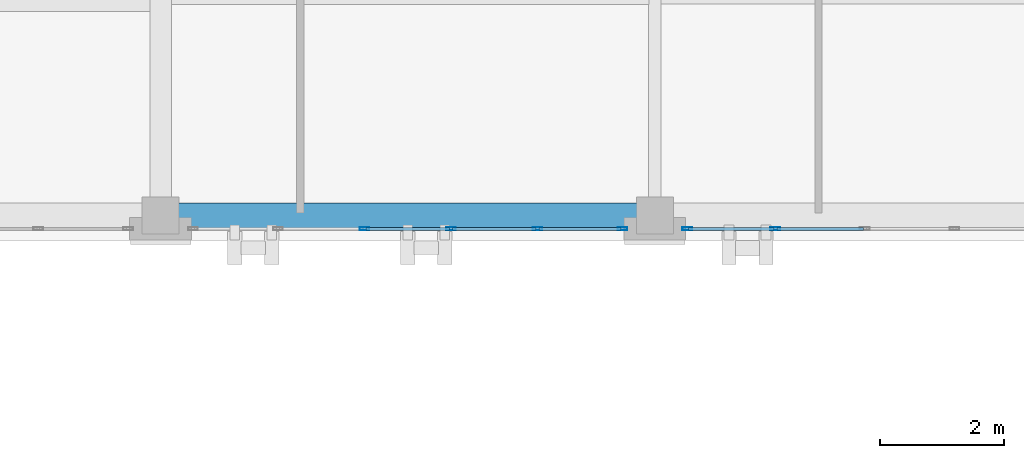
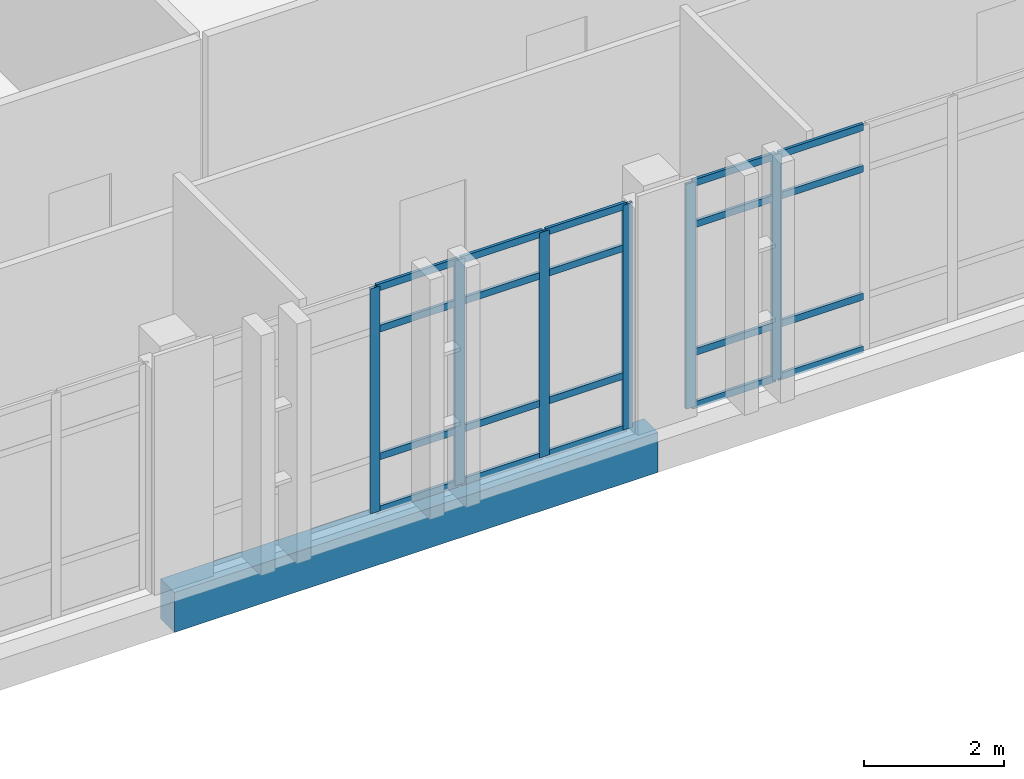
# One storey, part 23 of 77: 26 members, 1 beam, 2 elements without a shape of their own.
"""IFC4 building model written with IfcOpenShell, lengths in metres."""

from ifc_helpers import new_model, si_unit, direction, frame, origin, origin_2d, place, context, subcontext, project, spatial, rectangle, hollow_rectangle, extrude, material, layer, layer_set, material_profile, profile_set, type_object, element, aggregate, save


model = new_model("IFC4")

# Units and contexts
model_context = context("Model", 3, precision=1e-05, world=origin(), true_north=direction((0.0, 1.0)))
body_context = subcontext(model_context, "Body", "Model", "MODEL_VIEW")
ifc_project = project(units=[si_unit("LENGTHUNIT", "METRE"), si_unit("AREAUNIT", "SQUARE_METRE"), si_unit("VOLUMEUNIT", "CUBIC_METRE"), si_unit("PLANEANGLEUNIT", "RADIAN"), si_unit("MASSUNIT", "GRAM", prefix="KILO")], contexts=[model_context])

# Site, building, storey
site_placement = place(None, origin())
site = spatial("IfcSite", under=ifc_project, at=site_placement, CompositionType="ELEMENT")
building_placement = place(site_placement, origin())
building = spatial("IfcBuilding", under=site, at=building_placement, Name="Qalavern Law Courts", CompositionType="ELEMENT")
storey_placement = place(building_placement, frame((0.0, 0.0, 27.0)))
storey = spatial("IfcBuildingStorey", under=building, at=storey_placement, Name="L06", CompositionType="ELEMENT", Elevation=27.0)

# Curtain wall, members
ifc_material_1 = material(Name="Anodised aluminium and insulated glazing", Category="aluminium")
ifc_layer = layer(ifc_material_1, 0.166015625)
ifc_layer_set = layer_set([ifc_layer], Name="Anodised aluminium and insulated glazing")
curtain_wall_type = type_object("IfcCurtainWallType", Name="ENV-CW-LIB", PredefinedType="USERDEFINED", material=ifc_layer_set)
curtain_wall_1_placement = place(storey_placement, origin())
curtain_wall_1 = element("IfcCurtainWall", 1, at=curtain_wall_1_placement, inside=storey, type_object=curtain_wall_type, Name="V5 unitised curtain wall L06 south 3", ObjectType="UNITISED CURTAIN WALL", PredefinedType="USERDEFINED")
ifc_material_2 = material(Name="Anodised aluminium", Category="aluminium")
ifc_material_profile_1 = material_profile(ifc_material_2, hollow_rectangle(XDim=0.048095703125, YDim=0.159912109375, WallThickness=0.00390625, at=origin_2d()), Name="ALU MULLION 48x160")
ifc_profile_set_1 = profile_set([ifc_material_profile_1], Name="Anodised aluminium")
member_type_1 = type_object("IfcMemberType", Name="ENV-CWM-48x160", PredefinedType="MULLION", material=ifc_profile_set_1)
member_1_placement = place(storey_placement, frame((40.10009765625, 96.385009765625, 0.0), z_axis=(0.0, 0.0, 1.0), x_axis=(0.0, 1.0, 0.0)))
member_1 = element("IfcMember", 2, at=member_1_placement, type_object=member_type_1, Name="CW-05 mullion 3", PredefinedType="MULLION", context=body_context, shape_type="SweptSolid", body=[
    extrude(hollow_rectangle(XDim=0.048095703125, YDim=0.159912109375, WallThickness=0.00390625, at=origin_2d()), origin(), (0.0, 0.0, 1.0), 3.93505859375),
])
member_2_placement = place(storey_placement, frame((41.5, 96.385009765625, 0.0), z_axis=(0.0, 0.0, 1.0), x_axis=(0.0, 1.0, 0.0)))
member_2 = element("IfcMember", 3, at=member_2_placement, type_object=member_type_1, Name="CW-05 mullion 4", PredefinedType="MULLION", context=body_context, shape_type="SweptSolid", body=[
    extrude(hollow_rectangle(XDim=0.048095703125, YDim=0.159912109375, WallThickness=0.00390625, at=origin_2d()), origin(), (0.0, 0.0, 1.0), 3.93505859375),
])
member_3_placement = place(storey_placement, frame((42.89990234375, 96.385009765625, 0.0), z_axis=(0.0, 0.0, 1.0), x_axis=(0.0, 1.0, 0.0)))
member_3 = element("IfcMember", 4, at=member_3_placement, type_object=member_type_1, Name="CW-05 mullion 5", PredefinedType="MULLION", context=body_context, shape_type="SweptSolid", body=[
    extrude(hollow_rectangle(XDim=0.048095703125, YDim=0.159912109375, WallThickness=0.00390625, at=origin_2d()), origin(), (0.0, 0.0, 1.0), 3.93505859375),
])
member_4_placement = place(storey_placement, frame((44.27587890625, 96.385009765625, 0.0), z_axis=(0.0, 0.0, 1.0), x_axis=(0.0, 1.0, 0.0)))
member_4 = element("IfcMember", 5, at=member_4_placement, type_object=member_type_1, Name="CW-05 mullion 6", PredefinedType="MULLION", context=body_context, shape_type="SweptSolid", body=[
    extrude(hollow_rectangle(XDim=0.048095703125, YDim=0.159912109375, WallThickness=0.00390625, at=origin_2d()), origin(), (0.0, 0.0, 1.0), 3.93505859375),
])

curtain_wall_2_placement = place(storey_placement, origin())
curtain_wall_2 = element("IfcCurtainWall", 6, at=curtain_wall_2_placement, inside=storey, type_object=curtain_wall_type, Name="V5 unitised curtain wall L06 south 4", ObjectType="UNITISED CURTAIN WALL", PredefinedType="USERDEFINED")
member_5_placement = place(storey_placement, frame((45.323974609375, 96.385009765625, 0.0), z_axis=(0.0, 0.0, 1.0), x_axis=(0.0, 1.0, 0.0)))
member_5 = element("IfcMember", 7, at=member_5_placement, type_object=member_type_1, Name="CW-05 mullion 1", PredefinedType="MULLION", context=body_context, shape_type="SweptSolid", body=[
    extrude(hollow_rectangle(XDim=0.048095703125, YDim=0.159912109375, WallThickness=0.00390625, at=origin_2d()), origin(), (0.0, 0.0, 1.0), 3.93505859375),
])
member_6_placement = place(storey_placement, frame((46.75, 96.385009765625, 0.0), z_axis=(0.0, 0.0, 1.0), x_axis=(0.0, 1.0, 0.0)))
member_6 = element("IfcMember", 8, at=member_6_placement, type_object=member_type_1, Name="CW-05 mullion 2", PredefinedType="MULLION", context=body_context, shape_type="SweptSolid", body=[
    extrude(hollow_rectangle(XDim=0.048095703125, YDim=0.159912109375, WallThickness=0.00390625, at=origin_2d()), origin(), (0.0, 0.0, 1.0), 3.93505859375),
])

# Member
ifc_material_profile_2 = material_profile(ifc_material_2, hollow_rectangle(XDim=0.048095703125, YDim=0.1201171875, WallThickness=0.00390625, at=origin_2d()), Name="ALU TRANSOM 48x120")
ifc_profile_set_2 = profile_set([ifc_material_profile_2], Name="Anodised aluminium")
member_type_2 = type_object("IfcMemberType", Name="ENV-CWT-48x120", PredefinedType="USERDEFINED", material=ifc_profile_set_2)
member_7_placement = place(storey_placement, frame((40.1240234375, 96.385009765625, 0.02392578125), z_axis=(1.0, 0.0, 0.0), x_axis=(0.0, 1.0, 0.0)))
member_7 = element("IfcMember", 9, at=member_7_placement, type_object=member_type_2, Name="CW-05 transom 3.1", ObjectType="TRANSOM", PredefinedType="USERDEFINED", context=body_context, shape_type="SweptSolid", body=[
    extrude(hollow_rectangle(XDim=0.048095703125, YDim=0.1201171875, WallThickness=0.00390625, at=origin_2d()), origin(), (0.0, 0.0, 1.0), 1.35205078125),
])

member_8_placement = place(storey_placement, frame((40.1240234375, 96.385009765625, 0.949951171875), z_axis=(1.0, 0.0, 0.0), x_axis=(0.0, 1.0, 0.0)))
member_8 = element("IfcMember", 10, at=member_8_placement, type_object=member_type_2, Name="CW-05 transom 3.2", ObjectType="TRANSOM", PredefinedType="USERDEFINED", context=body_context, shape_type="SweptSolid", body=[
    extrude(hollow_rectangle(XDim=0.048095703125, YDim=0.1201171875, WallThickness=0.00390625, at=origin_2d()), origin(), (0.0, 0.0, 1.0), 1.35205078125),
])

member_9_placement = place(storey_placement, frame((40.1240234375, 96.385009765625, 3.18505859375), z_axis=(1.0, 0.0, 0.0), x_axis=(0.0, 1.0, 0.0)))
member_9 = element("IfcMember", 11, at=member_9_placement, type_object=member_type_2, Name="CW-05 transom 3.3", ObjectType="TRANSOM", PredefinedType="USERDEFINED", context=body_context, shape_type="SweptSolid", body=[
    extrude(hollow_rectangle(XDim=0.048095703125, YDim=0.1201171875, WallThickness=0.00390625, at=origin_2d()), origin(), (0.0, 0.0, 1.0), 1.35205078125),
])

member_10_placement = place(storey_placement, frame((40.1240234375, 96.385009765625, 3.910888671875), z_axis=(1.0, 0.0, 0.0), x_axis=(0.0, 1.0, 0.0)))
member_10 = element("IfcMember", 12, at=member_10_placement, type_object=member_type_2, Name="CW-05 transom 3.4", ObjectType="TRANSOM", PredefinedType="USERDEFINED", context=body_context, shape_type="SweptSolid", body=[
    extrude(hollow_rectangle(XDim=0.048095703125, YDim=0.1201171875, WallThickness=0.00390625, at=origin_2d()), origin(), (0.0, 0.0, 1.0), 1.35205078125),
])

member_11_placement = place(storey_placement, frame((41.52392578125, 96.385009765625, 0.02392578125), z_axis=(1.0, 0.0, 0.0), x_axis=(0.0, 1.0, 0.0)))
member_11 = element("IfcMember", 13, at=member_11_placement, type_object=member_type_2, Name="CW-05 transom 4.1", ObjectType="TRANSOM", PredefinedType="USERDEFINED", context=body_context, shape_type="SweptSolid", body=[
    extrude(hollow_rectangle(XDim=0.048095703125, YDim=0.1201171875, WallThickness=0.00390625, at=origin_2d()), origin(), (0.0, 0.0, 1.0), 1.35205078125),
])

member_12_placement = place(storey_placement, frame((41.52392578125, 96.385009765625, 0.949951171875), z_axis=(1.0, 0.0, 0.0), x_axis=(0.0, 1.0, 0.0)))
member_12 = element("IfcMember", 14, at=member_12_placement, type_object=member_type_2, Name="CW-05 transom 4.2", ObjectType="TRANSOM", PredefinedType="USERDEFINED", context=body_context, shape_type="SweptSolid", body=[
    extrude(hollow_rectangle(XDim=0.048095703125, YDim=0.1201171875, WallThickness=0.00390625, at=origin_2d()), origin(), (0.0, 0.0, 1.0), 1.35205078125),
])

member_13_placement = place(storey_placement, frame((41.52392578125, 96.385009765625, 3.18505859375), z_axis=(1.0, 0.0, 0.0), x_axis=(0.0, 1.0, 0.0)))
member_13 = element("IfcMember", 15, at=member_13_placement, type_object=member_type_2, Name="CW-05 transom 4.3", ObjectType="TRANSOM", PredefinedType="USERDEFINED", context=body_context, shape_type="SweptSolid", body=[
    extrude(hollow_rectangle(XDim=0.048095703125, YDim=0.1201171875, WallThickness=0.00390625, at=origin_2d()), origin(), (0.0, 0.0, 1.0), 1.35205078125),
])

member_14_placement = place(storey_placement, frame((41.52392578125, 96.385009765625, 3.910888671875), z_axis=(1.0, 0.0, 0.0), x_axis=(0.0, 1.0, 0.0)))
member_14 = element("IfcMember", 16, at=member_14_placement, type_object=member_type_2, Name="CW-05 transom 4.4", ObjectType="TRANSOM", PredefinedType="USERDEFINED", context=body_context, shape_type="SweptSolid", body=[
    extrude(hollow_rectangle(XDim=0.048095703125, YDim=0.1201171875, WallThickness=0.00390625, at=origin_2d()), origin(), (0.0, 0.0, 1.0), 1.35205078125),
])

member_15_placement = place(storey_placement, frame((42.924072265625, 96.385009765625, 0.02392578125), z_axis=(1.0, 0.0, 0.0), x_axis=(0.0, 1.0, 0.0)))
member_15 = element("IfcMember", 17, at=member_15_placement, type_object=member_type_2, Name="CW-05 transom 5.1", ObjectType="TRANSOM", PredefinedType="USERDEFINED", context=body_context, shape_type="SweptSolid", body=[
    extrude(hollow_rectangle(XDim=0.048095703125, YDim=0.1201171875, WallThickness=0.00390625, at=origin_2d()), origin(), (0.0, 0.0, 1.0), 1.327880859375),
])

member_16_placement = place(storey_placement, frame((42.924072265625, 96.385009765625, 0.949951171875), z_axis=(1.0, 0.0, 0.0), x_axis=(0.0, 1.0, 0.0)))
member_16 = element("IfcMember", 18, at=member_16_placement, type_object=member_type_2, Name="CW-05 transom 5.2", ObjectType="TRANSOM", PredefinedType="USERDEFINED", context=body_context, shape_type="SweptSolid", body=[
    extrude(hollow_rectangle(XDim=0.048095703125, YDim=0.1201171875, WallThickness=0.00390625, at=origin_2d()), origin(), (0.0, 0.0, 1.0), 1.327880859375),
])

member_17_placement = place(storey_placement, frame((42.924072265625, 96.385009765625, 3.18505859375), z_axis=(1.0, 0.0, 0.0), x_axis=(0.0, 1.0, 0.0)))
member_17 = element("IfcMember", 19, at=member_17_placement, type_object=member_type_2, Name="CW-05 transom 5.3", ObjectType="TRANSOM", PredefinedType="USERDEFINED", context=body_context, shape_type="SweptSolid", body=[
    extrude(hollow_rectangle(XDim=0.048095703125, YDim=0.1201171875, WallThickness=0.00390625, at=origin_2d()), origin(), (0.0, 0.0, 1.0), 1.327880859375),
])

member_18_placement = place(storey_placement, frame((42.924072265625, 96.385009765625, 3.910888671875), z_axis=(1.0, 0.0, 0.0), x_axis=(0.0, 1.0, 0.0)))
member_18 = element("IfcMember", 20, at=member_18_placement, type_object=member_type_2, Name="CW-05 transom 5.4", ObjectType="TRANSOM", PredefinedType="USERDEFINED", context=body_context, shape_type="SweptSolid", body=[
    extrude(hollow_rectangle(XDim=0.048095703125, YDim=0.1201171875, WallThickness=0.00390625, at=origin_2d()), origin(), (0.0, 0.0, 1.0), 1.327880859375),
])

aggregate(curtain_wall_1, [member_1, member_2, member_3, member_4, member_7, member_8, member_9, member_10, member_11, member_12, member_13, member_14, member_15, member_16, member_17, member_18])

member_19_placement = place(storey_placement, frame((45.347900390625, 96.385009765625, 0.02392578125), z_axis=(1.0, 0.0, 0.0), x_axis=(0.0, 1.0, 0.0)))
member_19 = element("IfcMember", 21, at=member_19_placement, type_object=member_type_2, Name="CW-05 transom 1.1", ObjectType="TRANSOM", PredefinedType="USERDEFINED", context=body_context, shape_type="SweptSolid", body=[
    extrude(hollow_rectangle(XDim=0.048095703125, YDim=0.1201171875, WallThickness=0.00390625, at=origin_2d()), origin(), (0.0, 0.0, 1.0), 1.378173828125),
])

member_20_placement = place(storey_placement, frame((45.347900390625, 96.385009765625, 0.949951171875), z_axis=(1.0, 0.0, 0.0), x_axis=(0.0, 1.0, 0.0)))
member_20 = element("IfcMember", 22, at=member_20_placement, type_object=member_type_2, Name="CW-05 transom 1.2", ObjectType="TRANSOM", PredefinedType="USERDEFINED", context=body_context, shape_type="SweptSolid", body=[
    extrude(hollow_rectangle(XDim=0.048095703125, YDim=0.1201171875, WallThickness=0.00390625, at=origin_2d()), origin(), (0.0, 0.0, 1.0), 1.378173828125),
])

member_21_placement = place(storey_placement, frame((45.347900390625, 96.385009765625, 3.18505859375), z_axis=(1.0, 0.0, 0.0), x_axis=(0.0, 1.0, 0.0)))
member_21 = element("IfcMember", 23, at=member_21_placement, type_object=member_type_2, Name="CW-05 transom 1.3", ObjectType="TRANSOM", PredefinedType="USERDEFINED", context=body_context, shape_type="SweptSolid", body=[
    extrude(hollow_rectangle(XDim=0.048095703125, YDim=0.1201171875, WallThickness=0.00390625, at=origin_2d()), origin(), (0.0, 0.0, 1.0), 1.378173828125),
])

member_22_placement = place(storey_placement, frame((45.347900390625, 96.385009765625, 3.910888671875), z_axis=(1.0, 0.0, 0.0), x_axis=(0.0, 1.0, 0.0)))
member_22 = element("IfcMember", 24, at=member_22_placement, type_object=member_type_2, Name="CW-05 transom 1.4", ObjectType="TRANSOM", PredefinedType="USERDEFINED", context=body_context, shape_type="SweptSolid", body=[
    extrude(hollow_rectangle(XDim=0.048095703125, YDim=0.1201171875, WallThickness=0.00390625, at=origin_2d()), origin(), (0.0, 0.0, 1.0), 1.378173828125),
])

member_23_placement = place(storey_placement, frame((46.77392578125, 96.385009765625, 0.02392578125), z_axis=(1.0, 0.0, 0.0), x_axis=(0.0, 1.0, 0.0)))
member_23 = element("IfcMember", 25, at=member_23_placement, type_object=member_type_2, Name="CW-05 transom 2.1", ObjectType="TRANSOM", PredefinedType="USERDEFINED", context=body_context, shape_type="SweptSolid", body=[
    extrude(hollow_rectangle(XDim=0.048095703125, YDim=0.1201171875, WallThickness=0.00390625, at=origin_2d()), origin(), (0.0, 0.0, 1.0), 1.402099609375),
])

member_24_placement = place(storey_placement, frame((46.77392578125, 96.385009765625, 0.949951171875), z_axis=(1.0, 0.0, 0.0), x_axis=(0.0, 1.0, 0.0)))
member_24 = element("IfcMember", 26, at=member_24_placement, type_object=member_type_2, Name="CW-05 transom 2.2", ObjectType="TRANSOM", PredefinedType="USERDEFINED", context=body_context, shape_type="SweptSolid", body=[
    extrude(hollow_rectangle(XDim=0.048095703125, YDim=0.1201171875, WallThickness=0.00390625, at=origin_2d()), origin(), (0.0, 0.0, 1.0), 1.402099609375),
])

member_25_placement = place(storey_placement, frame((46.77392578125, 96.385009765625, 3.18505859375), z_axis=(1.0, 0.0, 0.0), x_axis=(0.0, 1.0, 0.0)))
member_25 = element("IfcMember", 27, at=member_25_placement, type_object=member_type_2, Name="CW-05 transom 2.3", ObjectType="TRANSOM", PredefinedType="USERDEFINED", context=body_context, shape_type="SweptSolid", body=[
    extrude(hollow_rectangle(XDim=0.048095703125, YDim=0.1201171875, WallThickness=0.00390625, at=origin_2d()), origin(), (0.0, 0.0, 1.0), 1.402099609375),
])

member_26_placement = place(storey_placement, frame((46.77392578125, 96.385009765625, 3.910888671875), z_axis=(1.0, 0.0, 0.0), x_axis=(0.0, 1.0, 0.0)))
member_26 = element("IfcMember", 28, at=member_26_placement, type_object=member_type_2, Name="CW-05 transom 2.4", ObjectType="TRANSOM", PredefinedType="USERDEFINED", context=body_context, shape_type="SweptSolid", body=[
    extrude(hollow_rectangle(XDim=0.048095703125, YDim=0.1201171875, WallThickness=0.00390625, at=origin_2d()), origin(), (0.0, 0.0, 1.0), 1.402099609375),
])

aggregate(curtain_wall_2, [member_5, member_6, member_19, member_20, member_21, member_22, member_23, member_24, member_25, member_26])

# Beam
ifc_material_3 = material(Name="Concrete C40/50", Category="concrete")
ifc_material_profile_3 = material_profile(ifc_material_3, rectangle(XDim=0.39990234375, YDim=0.699951171875, at=origin_2d()), Name="RC 400x700")
ifc_profile_set_3 = profile_set([ifc_material_profile_3], Name="Concrete C40/50")
beam_type = type_object("IfcBeamType", Name="STR-SP-RC400x700", PredefinedType="SPANDREL", material=ifc_profile_set_3)
beam_placement = place(storey_placement, frame((36.800048828125, 96.60009765625, -0.6201171875), z_axis=(1.0, 0.0, 0.0), x_axis=(0.0, 1.0, 0.0)))
element("IfcBeam", 29, at=beam_placement, inside=storey, type_object=beam_type, Name="V5 X-beam 1-2 L06", PredefinedType="SPANDREL", context=body_context, shape_type="SweptSolid", body=[
    extrude(rectangle(XDim=0.39990234375, YDim=0.699951171875, at=origin_2d()), origin(), (0.0, 0.0, 1.0), 8.0),
])

save(model, "model.ifc")
